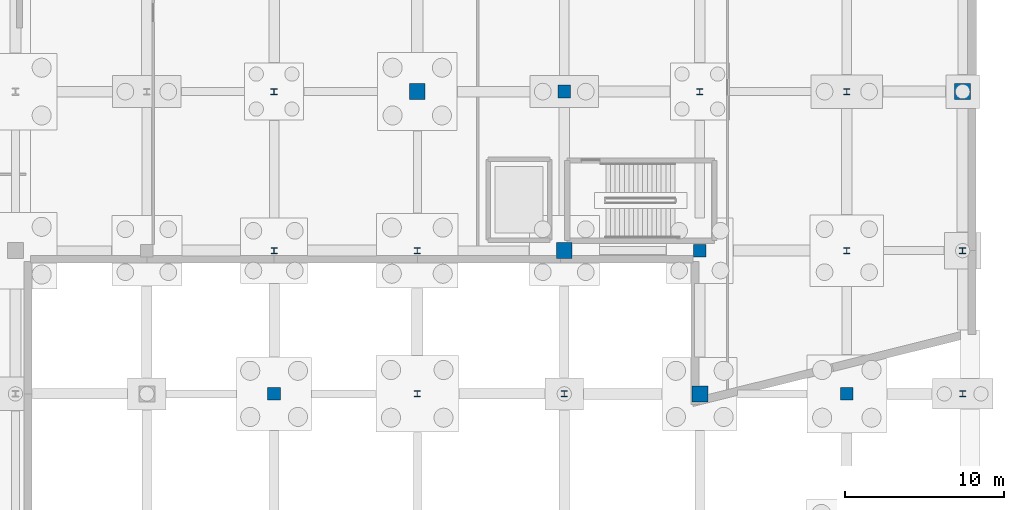
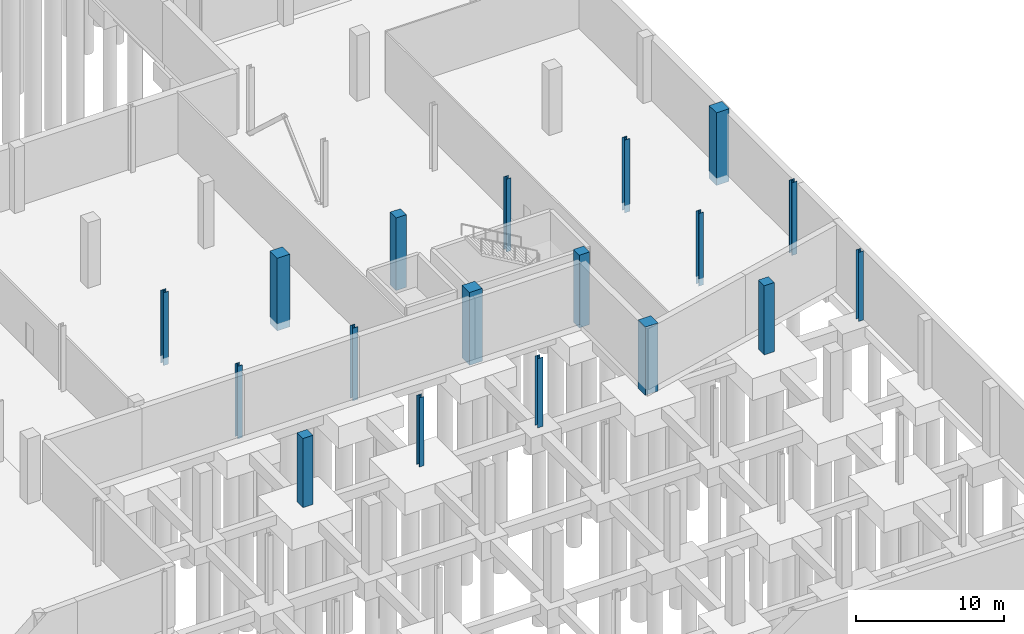
# One storey, part 32 of 60: 18 columns.
"""IFC4 building model written with IfcOpenShell, lengths in metres."""

from ifc_helpers import new_model, si_unit, direction, frame, origin, origin_2d, place, context, subcontext, project, spatial, rectangle, i_section, extrude, material, material_profile, profile_set, type_object, element, save


model = new_model("IFC4")

# Units and contexts
model_context = context("Model", 3, precision=1e-05, world=origin(), true_north=direction((0.0, 1.0)))
body_context = subcontext(model_context, "Body", "Model", "MODEL_VIEW")
ifc_project = project(units=[si_unit("LENGTHUNIT", "METRE"), si_unit("AREAUNIT", "SQUARE_METRE"), si_unit("VOLUMEUNIT", "CUBIC_METRE"), si_unit("PLANEANGLEUNIT", "RADIAN"), si_unit("MASSUNIT", "GRAM", prefix="KILO")], contexts=[model_context])

# Site, building, storey
site_placement = place(None, origin())
site = spatial("IfcSite", under=ifc_project, at=site_placement, CompositionType="ELEMENT")
building_placement = place(site_placement, origin())
building = spatial("IfcBuilding", under=site, at=building_placement, Name="Trimount Lyric Opera House", CompositionType="ELEMENT")
storey_placement = place(building_placement, frame((0.0, 0.0, -5.39990234375)))
storey = spatial("IfcBuildingStorey", under=building, at=storey_placement, Name="B1", CompositionType="ELEMENT", Elevation=-5.39990234375)

# Columns
ifc_material_1 = material(Name="Steel ASTM A992 Grade 50", Category="steel")
ifc_material_profile_1 = material_profile(ifc_material_1, i_section(OverallWidth=0.39892578125, OverallDepth=0.385986328125, WebThickness=0.02099609375, FlangeThickness=0.033203125, FilletRadius=0.01611328125, at=origin_2d()), Name="W14X176")
ifc_profile_set_1 = profile_set([ifc_material_profile_1], Name="Steel ASTM A992 Grade 50")
column_type_1 = type_object("IfcColumnType", Name="C-03", PredefinedType="COLUMN", material=ifc_profile_set_1)
for number, where, z_axis, x_axis, name in (
    (1, (130.0, 54.0, -0.60009765625), (0.0, 0.0, 1.0), (1.0, 0.0, 0.0), "B1 column 15/G"),
    (2, (139.0, 44.0, -0.60009765625), (0.0, 0.0, 1.0), (1.0, 0.0, 0.0), "B1 column 16/F"),
):
    element("IfcColumn", number, at=place(storey_placement, frame(where, z_axis=z_axis, x_axis=x_axis)), inside=storey, type_object=column_type_1, Name=name, PredefinedType="COLUMN", context=body_context, shape_type="SweptSolid", body=[
        extrude(i_section(OverallWidth=0.39892578125, OverallDepth=0.385986328125, WebThickness=0.02099609375, FlangeThickness=0.033203125, FilletRadius=0.01611328125, at=origin_2d()), origin(), (0.0, 0.0, 1.0), 6.0),
    ])
column_1_placement = place(storey_placement, frame((148.239990234375, 35.0, -0.60009765625), z_axis=(0.0, 0.0, 1.0), x_axis=(1.0, 0.0, 0.0)))
element("IfcColumn", 3, at=column_1_placement, inside=storey, type_object=column_type_1, Name="B1 column 17/E", PredefinedType="COLUMN", context=body_context, shape_type="SweptSolid", body=[
    extrude(i_section(OverallWidth=0.39892578125, OverallDepth=0.385986328125, WebThickness=0.02099609375, FlangeThickness=0.033203125, FilletRadius=0.01611328125, at=origin_2d()), origin(), (0.0, 0.0, 1.0), 5.699951171875),
])
for number, where, z_axis, x_axis, name in (
    (4, (166.0, 54.0, -0.60009765625), (0.0, 0.0, 1.0), (1.0, 0.0, 0.0), "B1 column 19/G"),
    (5, (173.280029296875, 44.0, -0.60009765625), (0.0, 0.0, 1.0), (1.0, 0.0, 0.0), "B1 column 20/F"),
):
    element("IfcColumn", number, at=place(storey_placement, frame(where, z_axis=z_axis, x_axis=x_axis)), inside=storey, type_object=column_type_1, Name=name, PredefinedType="COLUMN", context=body_context, shape_type="SweptSolid", body=[
        extrude(i_section(OverallWidth=0.39892578125, OverallDepth=0.385986328125, WebThickness=0.02099609375, FlangeThickness=0.033203125, FilletRadius=0.01611328125, at=origin_2d()), origin(), (0.0, 0.0, 1.0), 6.0),
    ])
ifc_material_2 = material(Name="Steel ASTM A992 Grade 50", Category="steel")
ifc_material_profile_2 = material_profile(ifc_material_2, i_section(OverallWidth=0.373046875, OverallDepth=0.367919921875, WebThickness=0.014892578125, FlangeThickness=0.02392578125, FilletRadius=0.014892578125, at=origin_2d()), Name="W14X120")
ifc_profile_set_2 = profile_set([ifc_material_profile_2], Name="Steel ASTM A992 Grade 50")
column_type_2 = type_object("IfcColumnType", Name="C-08", PredefinedType="COLUMN", material=ifc_profile_set_2)
column_2_placement = place(storey_placement, frame((130.0, 44.0, -0.60009765625), z_axis=(0.0, 0.0, 1.0), x_axis=(1.0, 0.0, 0.0)))
element("IfcColumn", 6, at=column_2_placement, inside=storey, type_object=column_type_2, Name="B1 column 15/F", PredefinedType="COLUMN", context=body_context, shape_type="SweptSolid", body=[
    extrude(i_section(OverallWidth=0.373046875, OverallDepth=0.367919921875, WebThickness=0.014892578125, FlangeThickness=0.02392578125, FilletRadius=0.014892578125, at=origin_2d()), origin(), (0.0, 0.0, 1.0), 6.0),
])
column_3_placement = place(storey_placement, frame((139.0, 35.0, -0.60009765625), z_axis=(0.0, 0.0, 1.0), x_axis=(1.0, 0.0, 0.0)))
element("IfcColumn", 7, at=column_3_placement, inside=storey, type_object=column_type_2, Name="B1 column 16/E", PredefinedType="COLUMN", context=body_context, shape_type="SweptSolid", body=[
    extrude(i_section(OverallWidth=0.373046875, OverallDepth=0.367919921875, WebThickness=0.014892578125, FlangeThickness=0.02392578125, FilletRadius=0.014892578125, at=origin_2d()), origin(), (0.0, 0.0, 1.0), 5.699951171875),
])
for number, where, z_axis, x_axis, name in (
    (8, (156.760009765625, 54.0, -0.60009765625), (0.0, 0.0, 1.0), (1.0, 0.0, 0.0), "B1 column 18/G"),
    (9, (166.0, 44.0, -0.60009765625), (0.0, 0.0, 1.0), (1.0, 0.0, 0.0), "B1 column 19/F"),
):
    element("IfcColumn", number, at=place(storey_placement, frame(where, z_axis=z_axis, x_axis=x_axis)), inside=storey, type_object=column_type_2, Name=name, PredefinedType="COLUMN", context=body_context, shape_type="SweptSolid", body=[
        extrude(i_section(OverallWidth=0.373046875, OverallDepth=0.367919921875, WebThickness=0.014892578125, FlangeThickness=0.02392578125, FilletRadius=0.014892578125, at=origin_2d()), origin(), (0.0, 0.0, 1.0), 6.0),
    ])
column_4_placement = place(storey_placement, frame((173.280029296875, 35.0, -0.60009765625), z_axis=(0.0, 0.0, 1.0), x_axis=(1.0, 0.0, 0.0)))
element("IfcColumn", 10, at=column_4_placement, inside=storey, type_object=column_type_2, Name="B1 column 20/E", PredefinedType="COLUMN", context=body_context, shape_type="SweptSolid", body=[
    extrude(i_section(OverallWidth=0.373046875, OverallDepth=0.367919921875, WebThickness=0.014892578125, FlangeThickness=0.02392578125, FilletRadius=0.014892578125, at=origin_2d()), origin(), (0.0, 0.0, 1.0), 5.699951171875),
])
ifc_material_3 = material(Name="Concrete C50/60", Category="concrete")
ifc_material_profile_3 = material_profile(ifc_material_3, rectangle(XDim=1.0, YDim=1.0, at=origin_2d()), Name="RC1000X1000")
ifc_profile_set_3 = profile_set([ifc_material_profile_3], Name="Concrete C50/60")
column_type_3 = type_object("IfcColumnType", Name="C-12", PredefinedType="COLUMN", material=ifc_profile_set_3)
for number, where, z_axis, x_axis, name in (
    (11, (139.0, 54.0, -0.60009765625), (0.0, 0.0, 1.0), (1.0, 0.0, 0.0), "B1 column 16/G"),
    (12, (148.239990234375, 44.0, -0.60009765625), (0.0, 0.0, 1.0), (1.0, 0.0, 0.0), "B1 column 17/F"),
):
    element("IfcColumn", number, at=place(storey_placement, frame(where, z_axis=z_axis, x_axis=x_axis)), inside=storey, type_object=column_type_3, Name=name, PredefinedType="COLUMN", context=body_context, shape_type="SweptSolid", body=[
        extrude(rectangle(XDim=1.0, YDim=1.0, at=origin_2d()), origin(), (0.0, 0.0, 1.0), 6.0),
    ])
column_5_placement = place(storey_placement, frame((156.760009765625, 35.0, -0.60009765625), z_axis=(0.0, 0.0, 1.0), x_axis=(1.0, 0.0, 0.0)))
element("IfcColumn", 13, at=column_5_placement, inside=storey, type_object=column_type_3, Name="B1 column 18/E", PredefinedType="COLUMN", context=body_context, shape_type="SweptSolid", body=[
    extrude(rectangle(XDim=1.0, YDim=1.0, at=origin_2d()), origin(), (0.0, 0.0, 1.0), 5.6201171875),
])
column_6_placement = place(storey_placement, frame((173.280029296875, 54.0, -0.60009765625), z_axis=(0.0, 0.0, 1.0), x_axis=(1.0, 0.0, 0.0)))
element("IfcColumn", 14, at=column_6_placement, inside=storey, type_object=column_type_3, Name="B1 column 20/G", PredefinedType="COLUMN", context=body_context, shape_type="SweptSolid", body=[
    extrude(rectangle(XDim=1.0, YDim=1.0, at=origin_2d()), origin(), (0.0, 0.0, 1.0), 6.0),
])
ifc_material_4 = material(Name="Concrete C40/50", Category="concrete")
ifc_material_profile_4 = material_profile(ifc_material_4, rectangle(XDim=0.800048828125, YDim=0.800048828125, at=origin_2d()), Name="RC800X800")
ifc_profile_set_4 = profile_set([ifc_material_profile_4], Name="Concrete C40/50")
column_type_4 = type_object("IfcColumnType", Name="C-14", PredefinedType="COLUMN", material=ifc_profile_set_4)
column_7_placement = place(storey_placement, frame((130.0, 35.0, -0.60009765625), z_axis=(0.0, 0.0, 1.0), x_axis=(1.0, 0.0, 0.0)))
element("IfcColumn", 15, at=column_7_placement, inside=storey, type_object=column_type_4, Name="B1 column 15/E", PredefinedType="COLUMN", context=body_context, shape_type="SweptSolid", body=[
    extrude(rectangle(XDim=0.800048828125, YDim=0.800048828125, at=origin_2d()), origin(), (0.0, 0.0, 1.0), 5.699951171875),
])
for number, where, z_axis, x_axis, name in (
    (16, (148.239990234375, 54.0, -0.60009765625), (0.0, 0.0, 1.0), (1.0, 0.0, 0.0), "B1 column 17/G"),
    (17, (156.760009765625, 44.0, -0.60009765625), (0.0, 0.0, 1.0), (1.0, 0.0, 0.0), "B1 column 18/F"),
):
    element("IfcColumn", number, at=place(storey_placement, frame(where, z_axis=z_axis, x_axis=x_axis)), inside=storey, type_object=column_type_4, Name=name, PredefinedType="COLUMN", context=body_context, shape_type="SweptSolid", body=[
        extrude(rectangle(XDim=0.800048828125, YDim=0.800048828125, at=origin_2d()), origin(), (0.0, 0.0, 1.0), 6.0),
    ])
column_8_placement = place(storey_placement, frame((166.0, 35.0, -0.60009765625), z_axis=(0.0, 0.0, 1.0), x_axis=(1.0, 0.0, 0.0)))
element("IfcColumn", 18, at=column_8_placement, inside=storey, type_object=column_type_4, Name="B1 column 19/E", PredefinedType="COLUMN", context=body_context, shape_type="SweptSolid", body=[
    extrude(rectangle(XDim=0.800048828125, YDim=0.800048828125, at=origin_2d()), origin(), (0.0, 0.0, 1.0), 5.699951171875),
])

save(model, "model.ifc")
